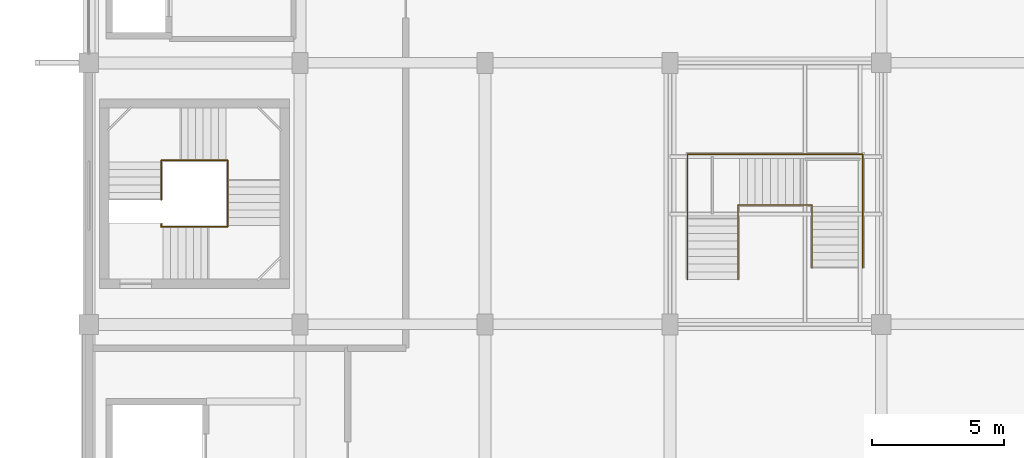
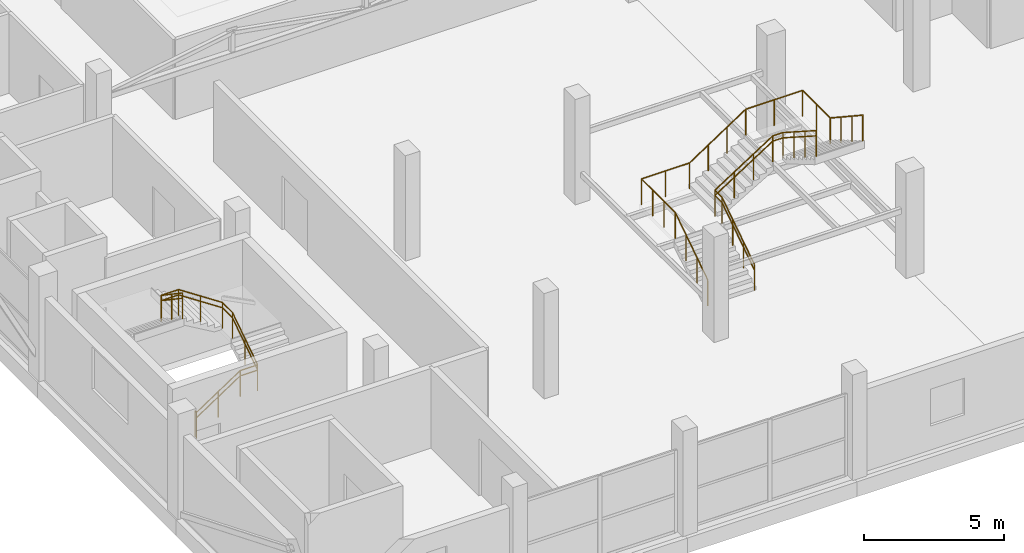
# One storey, part 54 of 58: 6 railings.
"""IFC4 building model written with IfcOpenShell, lengths in metres."""

from ifc_helpers import new_model, si_unit, direction, frame, origin, origin_2d, place, context, subcontext, project, spatial, circle, extrude, material, type_object, element, save


model = new_model("IFC4")

# Units and contexts
model_context = context("Model", 3, precision=1e-05, world=origin(), true_north=direction((0.0, 1.0)))
body_context = subcontext(model_context, "Body", "Model", "MODEL_VIEW")
ifc_project = project(units=[si_unit("LENGTHUNIT", "METRE"), si_unit("AREAUNIT", "SQUARE_METRE"), si_unit("VOLUMEUNIT", "CUBIC_METRE"), si_unit("PLANEANGLEUNIT", "RADIAN"), si_unit("MASSUNIT", "GRAM", prefix="KILO")], contexts=[model_context])

# Site, building, storey
site_placement = place(None, origin())
site = spatial("IfcSite", under=ifc_project, at=site_placement, CompositionType="ELEMENT")
building_placement = place(site_placement, origin())
building = spatial("IfcBuilding", under=site, at=building_placement, Name="Sillaruma Civic Art Gallery", CompositionType="ELEMENT")
storey_placement = place(building_placement, frame((0.0, 0.0, 28.56005859375)))
storey = spatial("IfcBuildingStorey", under=building, at=storey_placement, Name="L05", CompositionType="ELEMENT", Elevation=28.56005859375)

# Railings
ifc_material = material(Name="Stainless Steel AISI 316", Category="steel")
railing_type_1 = type_object("IfcRailingType", Name="RAL-BAL-1150", PredefinedType="BALUSTRADE", material=ifc_material)
railing_1_placement = place(storey_placement, frame((64.739990234375, 33.389892578125, 0.0)))
element("IfcRailing", 1, at=railing_1_placement, inside=storey, type_object=railing_type_1, Name="Stair Floor Edge Guard (ST-03:L05)", PredefinedType="BALUSTRADE", context=body_context, shape_type="SweptSolid", body=[
    extrude(circle(Radius=0.02392578125, at=origin_2d()), frame((0.0, 0.0, 1.1259765625), z_axis=(0.0, 1.0, 0.0), x_axis=(-1.0, 0.0, 0.0)), (0.0, 0.0, 1.0), 0.10009765625),
    extrude(circle(Radius=0.02099609375, at=origin_2d()), origin(), (0.0, 0.0, 1.0), 1.101806640625),
    extrude(circle(Radius=0.02099609375, at=origin_2d()), frame((0.0, 0.10009765625, 0.0)), (0.0, 0.0, 1.0), 1.101806640625),
])
railing_2_placement = place(storey_placement, frame((64.739990234375, 33.389892578125, 0.0)))
element("IfcRailing", 2, at=railing_2_placement, inside=storey, type_object=railing_type_1, Name="Stair Well Balustrade (ST-03-L05)", PredefinedType="BALUSTRADE", context=body_context, shape_type="SweptSolid", body=[
    extrude(circle(Radius=0.02392578125, at=origin_2d()), frame((0.0, 0.0, 1.1259765625), z_axis=(0.834202413191, 0.0, 0.551458369984), x_axis=(0.0, 1.0, 0.0)), (0.0, 0.0, 1.0), 2.15771484375),
    extrude(circle(Radius=0.02392578125, at=origin_2d()), frame((1.800048828125, 0.0, 2.31591796875), z_axis=(1.0, 0.0, 0.0), x_axis=(0.0, 1.0, 0.0)), (0.0, 0.0, 1.0), 0.719970703125),
    extrude(circle(Radius=0.02392578125, at=origin_2d()), frame((2.52001953125, 0.0, 2.31591796875), z_axis=(0.0, 0.834202413191, 0.551458369984), x_axis=(-1.0, 0.0, 0.0)), (0.0, 0.0, 1.0), 2.15771484375),
    extrude(circle(Radius=0.02392578125, at=origin_2d()), frame((2.52001953125, 1.800048828125, 3.505859375), z_axis=(0.0, 1.0, 0.0), x_axis=(-1.0, 0.0, 0.0)), (0.0, 0.0, 1.0), 0.719970703125),
    extrude(circle(Radius=0.02392578125, at=origin_2d()), frame((2.52001953125, 2.52001953125, 3.505859375), z_axis=(-0.834202413191, 0.0, 0.551458369984), x_axis=(0.0, -1.0, 0.0)), (0.0, 0.0, 1.0), 2.15771484375),
    extrude(circle(Radius=0.02392578125, at=origin_2d()), frame((0.719970703125, 2.52001953125, 4.69580078125), z_axis=(-1.0, 0.0, 0.0), x_axis=(0.0, -1.0, 0.0)), (0.0, 0.0, 1.0), 0.719970703125),
    extrude(circle(Radius=0.02392578125, at=origin_2d()), frame((0.0, 2.52001953125, 4.69580078125), z_axis=(0.0, -0.828654473869, 0.559760451387), x_axis=(1.0, 0.0, 0.0)), (0.0, 0.0, 1.0), 1.822265625),
    extrude(circle(Radius=0.02099609375, at=origin_2d()), origin(), (0.0, 0.0, 1.0), 1.101806640625),
    extrude(circle(Radius=0.02099609375, at=origin_2d()), frame((0.89990234375, 0.0, 0.594970703125)), (0.0, 0.0, 1.0), 1.101806640625),
    extrude(circle(Radius=0.02099609375, at=origin_2d()), frame((1.800048828125, 0.0, 1.18994140625)), (0.0, 0.0, 1.0), 1.101806640625),
    extrude(circle(Radius=0.02099609375, at=origin_2d()), frame((2.52001953125, 0.0, 1.18994140625)), (0.0, 0.0, 1.0), 1.101806640625),
    extrude(circle(Radius=0.02099609375, at=origin_2d()), frame((2.52001953125, 0.89990234375, 1.784912109375)), (0.0, 0.0, 1.0), 1.101806640625),
    extrude(circle(Radius=0.02099609375, at=origin_2d()), frame((2.52001953125, 1.800048828125, 2.3798828125)), (0.0, 0.0, 1.0), 1.101806640625),
    extrude(circle(Radius=0.02099609375, at=origin_2d()), frame((2.52001953125, 2.52001953125, 2.3798828125)), (0.0, 0.0, 1.0), 1.101806640625),
    extrude(circle(Radius=0.02099609375, at=origin_2d()), frame((1.6201171875, 2.52001953125, 2.974853515625)), (0.0, 0.0, 1.0), 1.101806640625),
    extrude(circle(Radius=0.02099609375, at=origin_2d()), frame((0.719970703125, 2.52001953125, 3.56982421875)), (0.0, 0.0, 1.0), 1.101806640625),
    extrude(circle(Radius=0.02099609375, at=origin_2d()), frame((0.0, 2.52001953125, 3.56982421875)), (0.0, 0.0, 1.0), 1.101806640625),
    extrude(circle(Radius=0.02099609375, at=origin_2d()), frame((0.0, 1.76513671875, 4.079833984375)), (0.0, 0.0, 1.0), 1.101806640625),
    extrude(circle(Radius=0.02099609375, at=origin_2d()), frame((0.0, 1.010009765625, 4.58984375)), (0.0, 0.0, 1.0), 1.101806640625),
])
railing_3_placement = place(storey_placement, frame((86.580078125, 31.39990234375, 0.0)))
element("IfcRailing", 3, at=railing_3_placement, inside=storey, type_object=railing_type_1, Name="Feature Stair Inner Guard (ST-G02)", PredefinedType="BALUSTRADE", context=body_context, shape_type="SweptSolid", body=[
    extrude(circle(Radius=0.02392578125, at=origin_2d()), frame((0.0, 0.0, 1.1259765625), z_axis=(0.0, 0.834810476361, 0.55053743611), x_axis=(-1.0, 0.0, 0.0)), (0.0, 0.0, 1.0), 2.779052734375),
    extrude(circle(Radius=0.02392578125, at=origin_2d()), frame((0.0, 2.320068359375, 2.65576171875), z_axis=(0.0, 1.0, 0.0), x_axis=(-1.0, 0.0, 0.0)), (0.0, 0.0, 1.0), 0.5),
    extrude(circle(Radius=0.02392578125, at=origin_2d()), frame((0.0, 2.820068359375, 2.65576171875), z_axis=(0.841161652958, 0.0, 0.540783758626), x_axis=(0.0, 1.0, 0.0)), (0.0, 0.0, 1.0), 2.829345703125),
    extrude(circle(Radius=0.02392578125, at=origin_2d()), frame((2.3798828125, 2.820068359375, 4.18603515625), z_axis=(1.0, 0.0, 0.0), x_axis=(0.0, 1.0, 0.0)), (0.0, 0.0, 1.0), 0.419921875),
    extrude(circle(Radius=0.02392578125, at=origin_2d()), frame((2.7998046875, 2.820068359375, 4.18603515625), z_axis=(0.0, -0.841200905049, 0.540722699121), x_axis=(1.0, 0.0, 0.0)), (0.0, 0.0, 1.0), 2.8291015625),
    extrude(circle(Radius=0.02099609375, at=origin_2d()), origin(), (0.0, 0.0, 1.0), 1.101806640625),
    extrude(circle(Radius=0.02099609375, at=origin_2d()), frame((0.0, 0.7734375, 0.510009765625)), (0.0, 0.0, 1.0), 1.101806640625),
    extrude(circle(Radius=0.02099609375, at=origin_2d()), frame((0.0, 1.546630859375, 1.02001953125)), (0.0, 0.0, 1.0), 1.101806640625),
    extrude(circle(Radius=0.02099609375, at=origin_2d()), frame((0.0, 2.320068359375, 1.530029296875)), (0.0, 0.0, 1.0), 1.101806640625),
    extrude(circle(Radius=0.02099609375, at=origin_2d()), frame((0.0, 2.820068359375, 1.530029296875)), (0.0, 0.0, 1.0), 1.101806640625),
    extrude(circle(Radius=0.02099609375, at=origin_2d()), frame((0.793212890625, 2.820068359375, 2.0400390625)), (0.0, 0.0, 1.0), 1.101806640625),
    extrude(circle(Radius=0.02099609375, at=origin_2d()), frame((1.586669921875, 2.820068359375, 2.550048828125)), (0.0, 0.0, 1.0), 1.101806640625),
    extrude(circle(Radius=0.02099609375, at=origin_2d()), frame((2.3798828125, 2.820068359375, 3.06005859375)), (0.0, 0.0, 1.0), 1.101806640625),
    extrude(circle(Radius=0.02099609375, at=origin_2d()), frame((2.7998046875, 2.820068359375, 3.06005859375)), (0.0, 0.0, 1.0), 1.101806640625),
    extrude(circle(Radius=0.02099609375, at=origin_2d()), frame((2.7998046875, 2.02685546875, 3.570068359375)), (0.0, 0.0, 1.0), 1.101806640625),
    extrude(circle(Radius=0.02099609375, at=origin_2d()), frame((2.7998046875, 1.2333984375, 4.079833984375)), (0.0, 0.0, 1.0), 1.101806640625),
    extrude(circle(Radius=0.02099609375, at=origin_2d()), frame((2.7998046875, 0.440185546875, 4.58984375)), (0.0, 0.0, 1.0), 1.101806640625),
])
railing_4_placement = place(storey_placement, frame((84.659912109375, 31.39990234375, 0.0)))
element("IfcRailing", 4, at=railing_4_placement, inside=storey, type_object=railing_type_1, Name="Feature Stair Outer Guard (ST-G02)", PredefinedType="BALUSTRADE", context=body_context, shape_type="SweptSolid", body=[
    extrude(circle(Radius=0.02392578125, at=origin_2d()), frame((0.0, 0.0, 1.1259765625), z_axis=(0.0, 0.834810476361, 0.55053743611), x_axis=(-1.0, 0.0, 0.0)), (0.0, 0.0, 1.0), 2.779052734375),
    extrude(circle(Radius=0.02392578125, at=origin_2d()), frame((0.0, 2.320068359375, 2.65576171875), z_axis=(0.0, 1.0, 0.0), x_axis=(-1.0, 0.0, 0.0)), (0.0, 0.0, 1.0), 2.419921875),
    extrude(circle(Radius=0.02392578125, at=origin_2d()), frame((0.0, 4.739990234375, 2.65576171875), z_axis=(1.0, 0.0, 0.0), x_axis=(0.0, 1.0, 0.0)), (0.0, 0.0, 1.0), 1.97998046875),
    extrude(circle(Radius=0.02392578125, at=origin_2d()), frame((1.97998046875, 4.739990234375, 2.65576171875), z_axis=(0.834810476361, 0.0, 0.55053743611), x_axis=(0.0, 1.0, 0.0)), (0.0, 0.0, 1.0), 2.779052734375),
    extrude(circle(Radius=0.02392578125, at=origin_2d()), frame((4.300048828125, 4.739990234375, 4.18603515625), z_axis=(1.0, 0.0, 0.0), x_axis=(0.0, 1.0, 0.0)), (0.0, 0.0, 1.0), 2.340087890625),
    extrude(circle(Radius=0.02392578125, at=origin_2d()), frame((6.64013671875, 4.739990234375, 4.18603515625), z_axis=(0.0, -1.0, 0.0), x_axis=(1.0, 0.0, 0.0)), (0.0, 0.0, 1.0), 1.97998046875),
    extrude(circle(Radius=0.02392578125, at=origin_2d()), frame((6.64013671875, 2.760009765625, 4.18603515625), z_axis=(0.0, -0.834824226096, 0.550516586057), x_axis=(1.0, 0.0, 0.0)), (0.0, 0.0, 1.0), 2.77880859375),
    extrude(circle(Radius=0.02099609375, at=origin_2d()), origin(), (0.0, 0.0, 1.0), 1.101806640625),
    extrude(circle(Radius=0.02099609375, at=origin_2d()), frame((0.0, 0.7734375, 0.510009765625)), (0.0, 0.0, 1.0), 1.101806640625),
    extrude(circle(Radius=0.02099609375, at=origin_2d()), frame((0.0, 1.546630859375, 1.02001953125)), (0.0, 0.0, 1.0), 1.101806640625),
    extrude(circle(Radius=0.02099609375, at=origin_2d()), frame((0.0, 2.320068359375, 1.530029296875)), (0.0, 0.0, 1.0), 1.101806640625),
    extrude(circle(Radius=0.02099609375, at=origin_2d()), frame((0.0, 3.126708984375, 1.530029296875)), (0.0, 0.0, 1.0), 1.101806640625),
    extrude(circle(Radius=0.02099609375, at=origin_2d()), frame((0.0, 3.933349609375, 1.530029296875)), (0.0, 0.0, 1.0), 1.101806640625),
    extrude(circle(Radius=0.02099609375, at=origin_2d()), frame((0.0, 4.739990234375, 1.530029296875)), (0.0, 0.0, 1.0), 1.101806640625),
    extrude(circle(Radius=0.02099609375, at=origin_2d()), frame((0.989990234375, 4.739990234375, 1.530029296875)), (0.0, 0.0, 1.0), 1.101806640625),
    extrude(circle(Radius=0.02099609375, at=origin_2d()), frame((1.97998046875, 4.739990234375, 1.530029296875)), (0.0, 0.0, 1.0), 1.101806640625),
    extrude(circle(Radius=0.02099609375, at=origin_2d()), frame((2.75341796875, 4.739990234375, 2.0400390625)), (0.0, 0.0, 1.0), 1.101806640625),
    extrude(circle(Radius=0.02099609375, at=origin_2d()), frame((3.526611328125, 4.739990234375, 2.550048828125)), (0.0, 0.0, 1.0), 1.101806640625),
    extrude(circle(Radius=0.02099609375, at=origin_2d()), frame((4.300048828125, 4.739990234375, 3.06005859375)), (0.0, 0.0, 1.0), 1.101806640625),
    extrude(circle(Radius=0.02099609375, at=origin_2d()), frame((5.47021484375, 4.739990234375, 3.06005859375)), (0.0, 0.0, 1.0), 1.101806640625),
    extrude(circle(Radius=0.02099609375, at=origin_2d()), frame((6.64013671875, 4.739990234375, 3.06005859375)), (0.0, 0.0, 1.0), 1.101806640625),
    extrude(circle(Radius=0.02099609375, at=origin_2d()), frame((6.64013671875, 3.75, 3.06005859375)), (0.0, 0.0, 1.0), 1.101806640625),
    extrude(circle(Radius=0.02099609375, at=origin_2d()), frame((6.64013671875, 2.760009765625, 3.06005859375)), (0.0, 0.0, 1.0), 1.101806640625),
    extrude(circle(Radius=0.02099609375, at=origin_2d()), frame((6.64013671875, 1.98681640625, 3.570068359375)), (0.0, 0.0, 1.0), 1.101806640625),
    extrude(circle(Radius=0.02099609375, at=origin_2d()), frame((6.64013671875, 1.21337890625, 4.079833984375)), (0.0, 0.0, 1.0), 1.101806640625),
    extrude(circle(Radius=0.02099609375, at=origin_2d()), frame((6.64013671875, 0.440185546875, 4.58984375)), (0.0, 0.0, 1.0), 1.101806640625),
])
railing_type_2 = type_object("IfcRailingType", Name="RAL-HND-920", PredefinedType="HANDRAIL", material=ifc_material)
railing_5_placement = place(storey_placement, frame((64.739990234375, 33.389892578125, 0.0)))
element("IfcRailing", 5, at=railing_5_placement, inside=storey, type_object=railing_type_2, Name="Stair Continuous Handrail (ST-03-L05)", PredefinedType="HANDRAIL", context=body_context, shape_type="SweptSolid", body=[
    extrude(circle(Radius=0.02392578125, at=origin_2d()), frame((0.0, 0.0, 0.89599609375), z_axis=(0.834202413191, 0.0, 0.551458369984), x_axis=(0.0, 1.0, 0.0)), (0.0, 0.0, 1.0), 2.15771484375),
    extrude(circle(Radius=0.02392578125, at=origin_2d()), frame((1.800048828125, 0.0, 2.0859375), z_axis=(1.0, 0.0, 0.0), x_axis=(0.0, 1.0, 0.0)), (0.0, 0.0, 1.0), 0.719970703125),
    extrude(circle(Radius=0.02392578125, at=origin_2d()), frame((2.52001953125, 0.0, 2.0859375), z_axis=(0.0, 0.834202413191, 0.551458369984), x_axis=(-1.0, 0.0, 0.0)), (0.0, 0.0, 1.0), 2.15771484375),
    extrude(circle(Radius=0.02392578125, at=origin_2d()), frame((2.52001953125, 1.800048828125, 3.27587890625), z_axis=(0.0, 1.0, 0.0), x_axis=(-1.0, 0.0, 0.0)), (0.0, 0.0, 1.0), 0.719970703125),
    extrude(circle(Radius=0.02392578125, at=origin_2d()), frame((2.52001953125, 2.52001953125, 3.27587890625), z_axis=(-0.834202413191, 0.0, 0.551458369984), x_axis=(0.0, -1.0, 0.0)), (0.0, 0.0, 1.0), 2.15771484375),
    extrude(circle(Radius=0.02392578125, at=origin_2d()), frame((0.719970703125, 2.52001953125, 4.4658203125), z_axis=(-1.0, 0.0, 0.0), x_axis=(0.0, -1.0, 0.0)), (0.0, 0.0, 1.0), 0.719970703125),
    extrude(circle(Radius=0.02392578125, at=origin_2d()), frame((0.0, 2.52001953125, 4.4658203125), z_axis=(0.0, -0.828654473869, 0.559760451387), x_axis=(1.0, 0.0, 0.0)), (0.0, 0.0, 1.0), 1.822265625),
    extrude(circle(Radius=0.02099609375, at=origin_2d()), origin(), (0.0, 0.0, 1.0), 0.871826171875),
    extrude(circle(Radius=0.02099609375, at=origin_2d()), frame((0.89990234375, 0.0, 0.594970703125)), (0.0, 0.0, 1.0), 0.871826171875),
    extrude(circle(Radius=0.02099609375, at=origin_2d()), frame((1.800048828125, 0.0, 1.18994140625)), (0.0, 0.0, 1.0), 0.871826171875),
    extrude(circle(Radius=0.02099609375, at=origin_2d()), frame((2.52001953125, 0.0, 1.18994140625)), (0.0, 0.0, 1.0), 0.871826171875),
    extrude(circle(Radius=0.02099609375, at=origin_2d()), frame((2.52001953125, 0.89990234375, 1.784912109375)), (0.0, 0.0, 1.0), 0.871826171875),
    extrude(circle(Radius=0.02099609375, at=origin_2d()), frame((2.52001953125, 1.800048828125, 2.3798828125)), (0.0, 0.0, 1.0), 0.871826171875),
    extrude(circle(Radius=0.02099609375, at=origin_2d()), frame((2.52001953125, 2.52001953125, 2.3798828125)), (0.0, 0.0, 1.0), 0.871826171875),
    extrude(circle(Radius=0.02099609375, at=origin_2d()), frame((1.6201171875, 2.52001953125, 2.974853515625)), (0.0, 0.0, 1.0), 0.871826171875),
    extrude(circle(Radius=0.02099609375, at=origin_2d()), frame((0.719970703125, 2.52001953125, 3.56982421875)), (0.0, 0.0, 1.0), 0.871826171875),
    extrude(circle(Radius=0.02099609375, at=origin_2d()), frame((0.0, 2.52001953125, 3.56982421875)), (0.0, 0.0, 1.0), 0.871826171875),
    extrude(circle(Radius=0.02099609375, at=origin_2d()), frame((0.0, 1.76513671875, 4.079833984375)), (0.0, 0.0, 1.0), 0.871826171875),
    extrude(circle(Radius=0.02099609375, at=origin_2d()), frame((0.0, 1.010009765625, 4.58984375)), (0.0, 0.0, 1.0), 0.871826171875),
])
railing_6_placement = place(storey_placement, frame((86.580078125, 31.39990234375, 0.0)))
element("IfcRailing", 6, at=railing_6_placement, inside=storey, type_object=railing_type_2, Name="Feature Stair Handrail (ST-G02)", PredefinedType="HANDRAIL", context=body_context, shape_type="SweptSolid", body=[
    extrude(circle(Radius=0.02392578125, at=origin_2d()), frame((0.0, 0.0, 0.89599609375), z_axis=(0.0, 0.834810476361, 0.55053743611), x_axis=(-1.0, 0.0, 0.0)), (0.0, 0.0, 1.0), 2.779052734375),
    extrude(circle(Radius=0.02392578125, at=origin_2d()), frame((0.0, 2.320068359375, 2.42578125), z_axis=(0.0, 1.0, 0.0), x_axis=(-1.0, 0.0, 0.0)), (0.0, 0.0, 1.0), 0.5),
    extrude(circle(Radius=0.02392578125, at=origin_2d()), frame((0.0, 2.820068359375, 2.42578125), z_axis=(0.841161652958, 0.0, 0.540783758626), x_axis=(0.0, 1.0, 0.0)), (0.0, 0.0, 1.0), 2.829345703125),
    extrude(circle(Radius=0.02392578125, at=origin_2d()), frame((2.3798828125, 2.820068359375, 3.9560546875), z_axis=(1.0, 0.0, 0.0), x_axis=(0.0, 1.0, 0.0)), (0.0, 0.0, 1.0), 0.419921875),
    extrude(circle(Radius=0.02392578125, at=origin_2d()), frame((2.7998046875, 2.820068359375, 3.9560546875), z_axis=(0.0, -0.841200905049, 0.540722699121), x_axis=(1.0, 0.0, 0.0)), (0.0, 0.0, 1.0), 2.8291015625),
    extrude(circle(Radius=0.02099609375, at=origin_2d()), origin(), (0.0, 0.0, 1.0), 0.871826171875),
    extrude(circle(Radius=0.02099609375, at=origin_2d()), frame((0.0, 0.7734375, 0.510009765625)), (0.0, 0.0, 1.0), 0.871826171875),
    extrude(circle(Radius=0.02099609375, at=origin_2d()), frame((0.0, 1.546630859375, 1.02001953125)), (0.0, 0.0, 1.0), 0.871826171875),
    extrude(circle(Radius=0.02099609375, at=origin_2d()), frame((0.0, 2.320068359375, 1.530029296875)), (0.0, 0.0, 1.0), 0.871826171875),
    extrude(circle(Radius=0.02099609375, at=origin_2d()), frame((0.0, 2.820068359375, 1.530029296875)), (0.0, 0.0, 1.0), 0.871826171875),
    extrude(circle(Radius=0.02099609375, at=origin_2d()), frame((0.793212890625, 2.820068359375, 2.0400390625)), (0.0, 0.0, 1.0), 0.871826171875),
    extrude(circle(Radius=0.02099609375, at=origin_2d()), frame((1.586669921875, 2.820068359375, 2.550048828125)), (0.0, 0.0, 1.0), 0.871826171875),
    extrude(circle(Radius=0.02099609375, at=origin_2d()), frame((2.3798828125, 2.820068359375, 3.06005859375)), (0.0, 0.0, 1.0), 0.871826171875),
    extrude(circle(Radius=0.02099609375, at=origin_2d()), frame((2.7998046875, 2.820068359375, 3.06005859375)), (0.0, 0.0, 1.0), 0.871826171875),
    extrude(circle(Radius=0.02099609375, at=origin_2d()), frame((2.7998046875, 2.02685546875, 3.570068359375)), (0.0, 0.0, 1.0), 0.871826171875),
    extrude(circle(Radius=0.02099609375, at=origin_2d()), frame((2.7998046875, 1.2333984375, 4.079833984375)), (0.0, 0.0, 1.0), 0.871826171875),
    extrude(circle(Radius=0.02099609375, at=origin_2d()), frame((2.7998046875, 0.440185546875, 4.58984375)), (0.0, 0.0, 1.0), 0.871826171875),
])

save(model, "model.ifc")
